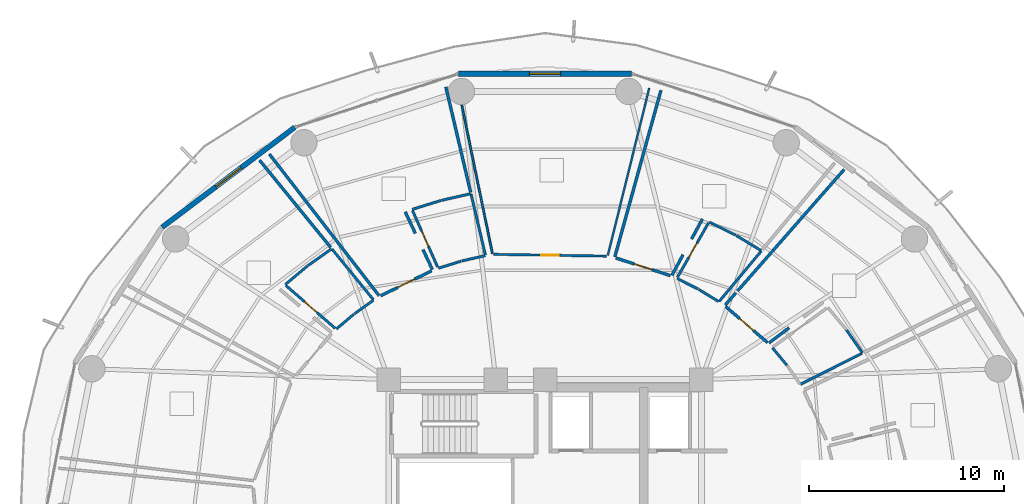
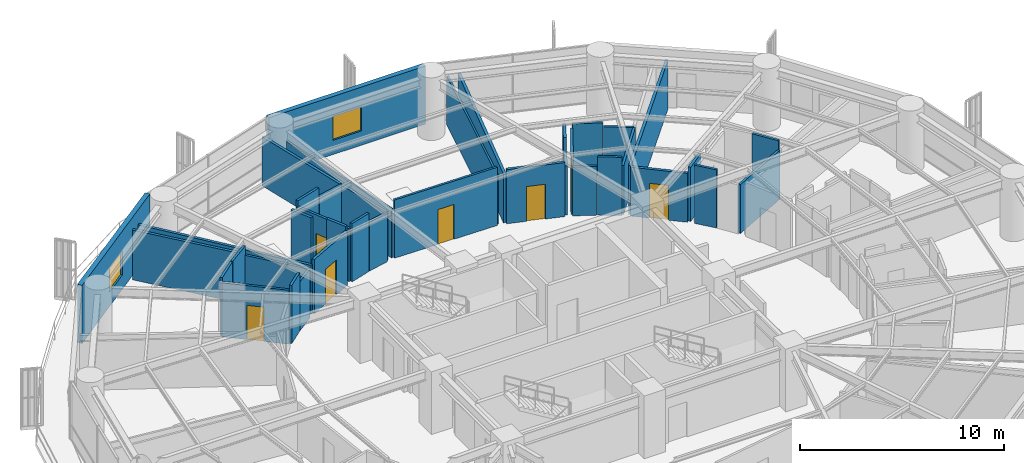
# One storey, part 32 of 38: 39 walls, 7 doors, 2 windows, 9 openings.
"""IFC4 building model written with IfcOpenShell, lengths in metres."""

from ifc_helpers import new_model, si_unit, direction, frame, frame_2d, origin, place, context, subcontext, project, spatial, rectangle, extrude, material, layer, layer_set, type_object, element, fill, save


model = new_model("IFC4")

# Units and contexts
model_context = context("Model", 3, precision=1e-05, world=origin(), true_north=direction((0.0, 1.0)))
body_context = subcontext(model_context, "Body", "Model", "MODEL_VIEW")
ifc_project = project(units=[si_unit("LENGTHUNIT", "METRE"), si_unit("AREAUNIT", "SQUARE_METRE"), si_unit("VOLUMEUNIT", "CUBIC_METRE"), si_unit("PLANEANGLEUNIT", "RADIAN"), si_unit("MASSUNIT", "GRAM", prefix="KILO")], contexts=[model_context])

# Site, building, storey
site_placement = place(None, origin())
site = spatial("IfcSite", under=ifc_project, at=site_placement, CompositionType="ELEMENT")
building_placement = place(site_placement, origin())
building = spatial("IfcBuilding", under=site, at=building_placement, Name="Kelanora Arch Commons", CompositionType="ELEMENT")
storey_placement = place(building_placement, frame((0.0, 0.0, 106.35009765625)))
storey = spatial("IfcBuildingStorey", under=building, at=storey_placement, Name="L27", CompositionType="ELEMENT", Elevation=106.35009765625)

# Wall, opening, door
ifc_material_1 = material(Name="Autoclaved aerated concrete blockwork with fire plaster", Category="masonry")
ifc_layer_1 = layer(ifc_material_1, 0.14990234375)
ifc_layer_set_1 = layer_set([ifc_layer_1], Name="Autoclaved aerated concrete blockwork with fire plaster")
wall_type_1 = type_object("IfcWallType", Name="W-COMP-150", PredefinedType="PARTITIONING", material=ifc_layer_set_1)
wall_1_placement = place(storey_placement, frame((85.384521484375, 66.89013671875, 0.0), z_axis=(0.0, 0.0, 1.0), x_axis=(-0.756913909666, 0.65351460072, 0.0)))
wall_1 = element("IfcWall", 1, at=wall_1_placement, inside=storey, type_object=wall_type_1, Name="Co-Living Studio L27-02 Entry Partition", PredefinedType="PARTITIONING", context=body_context, shape_type="SweptSolid", body=[
    extrude(rectangle(XDim=2.838134765625, YDim=0.14990234375, at=frame_2d((1.4189453125, 0.0))), origin(), (0.0, 0.0, 1.0), 2.9248046875),
])
opening_1_placement = place(wall_1_placement, frame((0.944091796875, 0.0, 0.0)))
opening_1 = element("IfcOpeningElement", 2, at=opening_1_placement, cuts=wall_1, Name="Opening D-CLU1", PredefinedType="OPENING", context=body_context, shape_type="SweptSolid", body=[
    extrude(rectangle(XDim=0.949951171875, YDim=2.080078125, at=frame_2d((0.47509765625, 1.0400390625))), frame((0.0, 0.0849609375, 0.0), z_axis=(0.0, -1.0, 0.0), x_axis=(1.0, 0.0, 0.0)), (0.0, 0.0, 1.0), 0.169921875),
])
ifc_material_2 = material(Name="Solid-core acoustic timber cluster entry fire door", Category="wood")
door_type_1 = type_object("IfcDoorType", Name="D-CLU-95", OperationType="NOTDEFINED", PredefinedType="DOOR", material=ifc_material_2)
door_1_placement = place(opening_1_placement, origin())
door_1 = element("IfcDoor", 3, at=door_1_placement, inside=storey, type_object=door_type_1, Name="Co-Living Studio L27-02 Door", OperationType="SINGLE_SWING_LEFT", OverallHeight=2.080078125, OverallWidth=0.949951171875, PredefinedType="DOOR", context=body_context, shape_type="SweptSolid", body=[
    extrude(rectangle(XDim=0.949951171875, YDim=2.080078125, at=frame_2d((0.47509765625, 1.0400390625))), frame((0.0, 0.02490234375, 0.0), z_axis=(0.0, -1.0, 0.0), x_axis=(1.0, 0.0, 0.0)), (0.0, 0.0, 1.0), 0.050048828125),
])
fill(opening_1, door_1)

wall_2_placement = place(storey_placement, frame((80.414794921875, 70.3203125, 0.0), z_axis=(0.0, 0.0, 1.0), x_axis=(-0.951622481895, 0.307269673009, 0.0)))
wall_2 = element("IfcWall", 4, at=wall_2_placement, inside=storey, type_object=wall_type_1, Name="Co-Living Studio L27-03 Entry Partition", PredefinedType="PARTITIONING", context=body_context, shape_type="SweptSolid", body=[
    extrude(rectangle(XDim=2.93994140625, YDim=0.14990234375, at=frame_2d((1.469970703125, 0.0))), origin(), (0.0, 0.0, 1.0), 3.23486328125),
])
opening_2_placement = place(wall_2_placement, frame((0.9951171875, 0.0, 0.0)))
opening_2 = element("IfcOpeningElement", 5, at=opening_2_placement, cuts=wall_2, Name="Opening D-CLU1", PredefinedType="OPENING", context=body_context, shape_type="SweptSolid", body=[
    extrude(rectangle(XDim=0.949951171875, YDim=2.080078125, at=frame_2d((0.47509765625, 1.0400390625))), frame((0.0, 0.0849609375, 0.0), z_axis=(0.0, -1.0, 0.0), x_axis=(1.0, 0.0, 0.0)), (0.0, 0.0, 1.0), 0.169921875),
])
door_2_placement = place(opening_2_placement, origin())
door_2 = element("IfcDoor", 6, at=door_2_placement, inside=storey, type_object=door_type_1, Name="Co-Living Studio L27-03 Door", OperationType="SINGLE_SWING_LEFT", OverallHeight=2.080078125, OverallWidth=0.949951171875, PredefinedType="DOOR", context=body_context, shape_type="SweptSolid", body=[
    extrude(rectangle(XDim=0.949951171875, YDim=2.080078125, at=frame_2d((0.47509765625, 1.0400390625))), frame((0.0, 0.02490234375, 0.0), z_axis=(0.0, -1.0, 0.0), x_axis=(1.0, 0.0, 0.0)), (0.0, 0.0, 1.0), 0.050048828125),
])
fill(opening_2, door_2)

wall_3_placement = place(storey_placement, frame((68.196044921875, 70.566650390625, 0.0), z_axis=(0.0, 0.0, 1.0), x_axis=(-0.89794088417, -0.440116085296, 0.0)))
wall_3 = element("IfcWall", 7, at=wall_3_placement, inside=storey, type_object=wall_type_1, Name="Co-Living Studio L27-05 Entry Partition", PredefinedType="PARTITIONING", context=body_context, shape_type="SweptSolid", body=[
    extrude(rectangle(XDim=2.908935546875, YDim=0.14990234375, at=frame_2d((1.45458984375, 0.0))), origin(), (0.0, 0.0, 1.0), 3.23486328125),
])
opening_3_placement = place(wall_3_placement, frame((0.97998046875, 0.0, 0.0)))
opening_3 = element("IfcOpeningElement", 8, at=opening_3_placement, cuts=wall_3, Name="Opening D-CLU1", PredefinedType="OPENING", context=body_context, shape_type="SweptSolid", body=[
    extrude(rectangle(XDim=0.949951171875, YDim=2.080078125, at=frame_2d((0.47509765625, 1.0400390625))), frame((0.0, 0.0849609375, 0.0), z_axis=(0.0, -1.0, 0.0), x_axis=(1.0, 0.0, 0.0)), (0.0, 0.0, 1.0), 0.169921875),
])
door_3_placement = place(opening_3_placement, origin())
door_3 = element("IfcDoor", 9, at=door_3_placement, inside=storey, type_object=door_type_1, Name="Co-Living Studio L27-05 Door", OperationType="SINGLE_SWING_RIGHT", OverallHeight=2.080078125, OverallWidth=0.949951171875, PredefinedType="DOOR", context=body_context, shape_type="SweptSolid", body=[
    extrude(rectangle(XDim=0.949951171875, YDim=2.080078125, at=frame_2d((0.47509765625, 1.0400390625))), frame((0.0, 0.02490234375, 0.0), z_axis=(0.0, -1.0, 0.0), x_axis=(1.0, 0.0, 0.0)), (0.0, 0.0, 1.0), 0.050048828125),
])
fill(opening_3, door_3)

# Walls
wall_4_placement = place(storey_placement, frame((83.21728515625, 68.814208984375, 0.0), z_axis=(0.0, 0.0, 1.0), x_axis=(0.659635901966, 0.751585309088, 0.0)))
element("IfcWall", 10, at=wall_4_placement, inside=storey, type_object=wall_type_1, Name="Co-Living Studio L27-02 Enclosure Partition 2", PredefinedType="PARTITIONING", context=body_context, shape_type="SweptSolid", body=[
    extrude(rectangle(XDim=9.2373046875, YDim=0.14990234375, at=frame_2d((4.61865234375, 0.0))), origin(), (0.0, 0.0, 1.0), 2.9248046875),
])
wall_5_placement = place(storey_placement, frame((86.4912109375, 67.649169921875, 0.0), z_axis=(0.0, 0.0, 1.0), x_axis=(-0.799180360415, -0.601091300492, 0.0)))
element("IfcWall", 11, at=wall_5_placement, inside=storey, type_object=wall_type_1, Name="Co-Living Studio L27-02 Enclosure Partition 7", PredefinedType="PARTITIONING", context=body_context, shape_type="SweptSolid", body=[
    extrude(rectangle(XDim=1.287841796875, YDim=0.14990234375, at=frame_2d((0.64404296875, 0.0))), origin(), (0.0, 0.0, 1.0), 3.23486328125),
])
wall_6_placement = place(storey_placement, frame((77.57080078125, 71.280517578125, 0.0), z_axis=(0.0, 0.0, 1.0), x_axis=(0.266746506471, 0.963766725554, 0.0)))
element("IfcWall", 12, at=wall_6_placement, inside=storey, type_object=wall_type_1, Name="Co-Living Studio L27-03 Enclosure Partition 2", PredefinedType="PARTITIONING", context=body_context, shape_type="SweptSolid", body=[
    extrude(rectangle(XDim=8.84130859375, YDim=0.14990234375, at=frame_2d((4.420654296875, 0.0))), origin(), (0.0, 0.0, 1.0), 2.9248046875),
])
wall_7_placement = place(storey_placement, frame((82.053955078125, 73.2216796875, 0.0), z_axis=(0.0, 0.0, 1.0), x_axis=(-0.476431432847, -0.879211629698, 0.0)))
element("IfcWall", 13, at=wall_7_placement, inside=storey, type_object=wall_type_1, Name="Co-Living Studio L27-03 Enclosure Partition 7", PredefinedType="PARTITIONING", context=body_context, shape_type="SweptSolid", body=[
    extrude(rectangle(XDim=1.166748046875, YDim=0.14990234375, at=frame_2d((0.58349609375, 0.0))), origin(), (0.0, 0.0, 1.0), 3.1748046875),
])
wall_8_placement = place(storey_placement, frame((81.0595703125, 71.38671875, 0.0), z_axis=(0.0, 0.0, 1.0), x_axis=(-0.476184304259, -0.879345500004, 0.0)))
element("IfcWall", 14, at=wall_8_placement, inside=storey, type_object=wall_type_1, Name="Co-Living Studio L27-03 Enclosure Partition 7", PredefinedType="PARTITIONING", context=body_context, shape_type="SweptSolid", body=[
    extrude(rectangle(XDim=1.193603515625, YDim=0.14990234375, at=frame_2d((0.5966796875, 0.0))), origin(), (0.0, 0.0, 1.0), 2.9248046875),
])
wall_9_placement = place(storey_placement, frame((65.505615234375, 69.29150390625, 0.0), z_axis=(0.0, 0.0, 1.0), x_axis=(-0.612364923916, 0.790575233585, 0.0)))
element("IfcWall", 15, at=wall_9_placement, inside=storey, type_object=wall_type_1, Name="Co-Living Studio L27-05 Enclosure Partition 2", PredefinedType="PARTITIONING", context=body_context, shape_type="SweptSolid", body=[
    extrude(rectangle(XDim=9.167724609375, YDim=0.14990234375, at=frame_2d((4.583984375, 0.0))), origin(), (0.0, 0.0, 1.0), 2.9248046875),
])
wall_10_placement = place(storey_placement, frame((68.923095703125, 79.97412109375, 0.0), z_axis=(0.0, 0.0, 1.0), x_axis=(0.228901508724, -0.973449587449, 0.0)))
element("IfcWall", 16, at=wall_10_placement, inside=storey, type_object=wall_type_1, Name="Co-Living Studio L27-05 Enclosure Partition 5", PredefinedType="PARTITIONING", context=body_context, shape_type="SweptSolid", body=[
    extrude(rectangle(XDim=5.529052734375, YDim=0.14990234375, at=frame_2d((2.7646484375, 0.0))), origin(), (0.0, 0.0, 1.0), 2.9248046875),
])
wall_11_placement = place(storey_placement, frame((66.843994140625, 73.581787109375, 0.0), z_axis=(0.0, 0.0, 1.0), x_axis=(0.42562282943, -0.904900661436, 0.0)))
element("IfcWall", 17, at=wall_11_placement, inside=storey, type_object=wall_type_1, Name="Co-Living Studio L27-05 Enclosure Partition 7", PredefinedType="PARTITIONING", context=body_context, shape_type="SweptSolid", body=[
    extrude(rectangle(XDim=1.21484375, YDim=0.14990234375, at=frame_2d((0.607421875, 0.0))), origin(), (0.0, 0.0, 1.0), 3.1748046875),
])
wall_12_placement = place(storey_placement, frame((67.7529296875, 71.649658203125, 0.0), z_axis=(0.0, 0.0, 1.0), x_axis=(0.425609366017, -0.904906993872, 0.0)))
element("IfcWall", 18, at=wall_12_placement, inside=storey, type_object=wall_type_1, Name="Co-Living Studio L27-05 Enclosure Partition 7", PredefinedType="PARTITIONING", context=body_context, shape_type="SweptSolid", body=[
    extrude(rectangle(XDim=1.127685546875, YDim=0.14990234375, at=frame_2d((0.56396484375, 0.0))), origin(), (0.0, 0.0, 1.0), 3.47998046875),
])
wall_13_placement = place(storey_placement, frame((59.390380859375, 76.22509765625, 0.0), z_axis=(0.0, 0.0, 1.0), x_axis=(0.632139440809, -0.774854649192, 0.0)))
element("IfcWall", 19, at=wall_13_placement, inside=storey, type_object=wall_type_1, Name="Co-Living Studio L27-06 Enclosure Partition 5", PredefinedType="PARTITIONING", context=body_context, shape_type="SweptSolid", body=[
    extrude(rectangle(XDim=5.764892578125, YDim=0.14990234375, at=frame_2d((2.88232421875, 0.0))), origin(), (0.0, 0.0, 1.0), 2.974853515625),
])

# Wall, opening, window
ifc_material_3 = material(Name="Precast concrete C40/50 with terracotta rainscreen", Category="masonry")
ifc_layer_2 = layer(ifc_material_3, 0.260009765625)
ifc_layer_set_2 = layer_set([ifc_layer_2], Name="Precast concrete C40/50 with terracotta rainscreen")
wall_type_2 = type_object("IfcWallType", Name="W-EXT-TC", PredefinedType="SOLIDWALL", material=ifc_layer_set_2)
wall_14_placement = place(storey_placement, frame((78.430419921875, 80.650634765625, 0.0), z_axis=(0.0, 0.0, 1.0), x_axis=(-1.0, 0.0, 0.0)))
wall_14 = element("IfcWall", 20, at=wall_14_placement, inside=storey, type_object=wall_type_2, Name="Terracotta Exterior Wall L27-B04", PredefinedType="SOLIDWALL", context=body_context, shape_type="SweptSolid", body=[
    extrude(rectangle(XDim=8.86083984375, YDim=0.260009765625, at=frame_2d((4.430419921875, 0.0))), origin(), (0.0, 0.0, 1.0), 3.474853515625),
])
opening_4_placement = place(wall_14_placement, frame((3.6298828125, 0.0, 0.85009765625)))
opening_4 = element("IfcOpeningElement", 21, at=opening_4_placement, cuts=wall_14, Name="Opening WN-01", PredefinedType="OPENING", context=body_context, shape_type="SweptSolid", body=[
    extrude(rectangle(XDim=1.60009765625, YDim=1.449951171875, at=frame_2d((0.800048828125, 0.72509765625))), frame((0.0, 0.14013671875, 0.0), z_axis=(0.0, -1.0, 0.0), x_axis=(1.0, 0.0, 0.0)), (0.0, 0.0, 1.0), 0.280029296875),
])
ifc_material_4 = material(Name="Terracotta-anodised aluminium frame with operable low-E glazing", Category="masonry")
window_type = type_object("IfcWindowType", Name="WIN-CL-18", PartitioningType="DOUBLE_PANEL_VERTICAL", PredefinedType="WINDOW", material=ifc_material_4)
window_1_placement = place(opening_4_placement, origin())
window_1 = element("IfcWindow", 22, at=window_1_placement, inside=storey, type_object=window_type, Name="Co-Living Operable Window L27-B04", OverallHeight=1.449951171875, OverallWidth=1.60009765625, PartitioningType="SINGLE_PANEL", PredefinedType="WINDOW", context=body_context, shape_type="SweptSolid", body=[
    extrude(rectangle(XDim=1.60009765625, YDim=1.449951171875, at=frame_2d((0.800048828125, 0.72509765625))), frame((0.0, 0.030029296875, 0.0), z_axis=(0.0, -1.0, 0.0), x_axis=(1.0, 0.0, 0.0)), (0.0, 0.0, 1.0), 0.06005859375),
])
fill(opening_4, window_1)

wall_15_placement = place(storey_placement, frame((61.18798828125, 77.90966796875, 0.0), z_axis=(0.0, 0.0, 1.0), x_axis=(-0.798501507879, -0.601992808857, 0.0)))
wall_15 = element("IfcWall", 23, at=wall_15_placement, inside=storey, type_object=wall_type_2, Name="Terracotta Exterior Wall L27-B06", PredefinedType="SOLIDWALL", context=body_context, shape_type="SweptSolid", body=[
    extrude(rectangle(XDim=8.499267578125, YDim=0.260009765625, at=frame_2d((4.24951171875, 0.0))), origin(), (0.0, 0.0, 1.0), 3.474853515625),
])
opening_5_placement = place(wall_15_placement, frame((3.449951171875, 0.0, 0.85009765625)))
opening_5 = element("IfcOpeningElement", 24, at=opening_5_placement, cuts=wall_15, Name="Opening WN-01", PredefinedType="OPENING", context=body_context, shape_type="SweptSolid", body=[
    extrude(rectangle(XDim=1.60009765625, YDim=1.449951171875, at=frame_2d((0.800048828125, 0.72509765625))), frame((0.0, 0.14013671875, 0.0), z_axis=(0.0, -1.0, 0.0), x_axis=(1.0, 0.0, 0.0)), (0.0, 0.0, 1.0), 0.280029296875),
])
window_2_placement = place(opening_5_placement, origin())
window_2 = element("IfcWindow", 25, at=window_2_placement, inside=storey, type_object=window_type, Name="Co-Living Operable Window L27-B06", OverallHeight=1.449951171875, OverallWidth=1.60009765625, PartitioningType="SINGLE_PANEL", PredefinedType="WINDOW", context=body_context, shape_type="SweptSolid", body=[
    extrude(rectangle(XDim=1.60009765625, YDim=1.449951171875, at=frame_2d((0.800048828125, 0.72509765625))), frame((0.0, 0.030029296875, 0.0), z_axis=(0.0, -1.0, 0.0), x_axis=(1.0, 0.0, 0.0)), (0.0, 0.0, 1.0), 0.06005859375),
])
fill(opening_5, window_2)

# Walls
ifc_material_5 = material(Name="Lightweight fire-rated acoustic stud partition")
ifc_layer_3 = layer(ifc_material_5, 0.10009765625)
ifc_layer_set_3 = layer_set([ifc_layer_3], Name="Lightweight fire-rated acoustic stud partition")
wall_type_3 = type_object("IfcWallType", Name="W-PART-100", PredefinedType="PARTITIONING", material=ifc_layer_set_3)
wall_16_placement = place(storey_placement, frame((71.304931640625, 71.44921875, 0.0), z_axis=(0.0, 0.0, 1.0), x_axis=(-0.202123638545, 0.979360012836, 0.0)))
element("IfcWall", 26, at=wall_16_placement, inside=storey, type_object=wall_type_3, Name="Communal Dining and Social Hall L27-04 Enclosure Partition 2", PredefinedType="PARTITIONING", context=body_context, shape_type="SweptSolid", body=[
    extrude(rectangle(XDim=7.755859375, YDim=0.10009765625, at=frame_2d((3.8779296875, 0.0))), origin(), (0.0, 0.0, 1.0), 2.9248046875),
])
wall_17_placement = place(storey_placement, frame((79.33349609375, 79.92529296875, 0.0), z_axis=(0.0, 0.0, 1.0), x_axis=(-0.240342194274, -0.970688224741, 0.0)))
element("IfcWall", 27, at=wall_17_placement, inside=storey, type_object=wall_type_3, Name="Communal Dining and Social Hall L27-04 Enclosure Partition 4", PredefinedType="PARTITIONING", context=body_context, shape_type="SweptSolid", body=[
    extrude(rectangle(XDim=8.828369140625, YDim=0.10009765625, at=frame_2d((4.4140625, 0.0))), origin(), (0.0, 0.0, 1.0), 2.9248046875),
])

# Wall, opening, door
ifc_material_6 = material(Name="Acoustic twin-stud fire-rated gypsum partition")
ifc_layer_4 = layer(ifc_material_6, 0.1201171875)
ifc_layer_set_4 = layer_set([ifc_layer_4], Name="Acoustic twin-stud fire-rated gypsum partition")
wall_type_4 = type_object("IfcWallType", Name="W-PART-120", PredefinedType="PARTITIONING", material=ifc_layer_set_4)
wall_18_placement = place(storey_placement, frame((77.14208984375, 71.31787109375, 0.0), z_axis=(0.0, 0.0, 1.0), x_axis=(-0.999874771211, 0.015825356091, 0.0)))
wall_18 = element("IfcWall", 28, at=wall_18_placement, inside=storey, type_object=wall_type_4, Name="Communal Dining and Social Hall L27-04 Entry Partition", PredefinedType="PARTITIONING", context=body_context, shape_type="SweptSolid", body=[
    extrude(rectangle(XDim=5.769775390625, YDim=0.1201171875, at=frame_2d((2.884765625, 0.0))), origin(), (0.0, 0.0, 1.0), 3.47998046875),
])
opening_6_placement = place(wall_18_placement, frame((2.43505859375, 0.0, 0.0)))
opening_6 = element("IfcOpeningElement", 29, at=opening_6_placement, cuts=wall_18, Name="Opening D-RM1", PredefinedType="OPENING", context=body_context, shape_type="SweptSolid", body=[
    extrude(rectangle(XDim=0.89990234375, YDim=2.080078125, at=frame_2d((0.449951171875, 1.0400390625))), frame((0.0, 0.070068359375, 0.0), z_axis=(0.0, -1.0, 0.0), x_axis=(1.0, 0.0, 0.0)), (0.0, 0.0, 1.0), 0.14013671875),
])
ifc_material_7 = material(Name="Acoustic fire-rated timber study and lounge door", Category="wood")
door_type_2 = type_object("IfcDoorType", Name="D-ROOM-90", OperationType="NOTDEFINED", PredefinedType="DOOR", material=ifc_material_7)
door_4_placement = place(opening_6_placement, origin())
door_4 = element("IfcDoor", 30, at=door_4_placement, inside=storey, type_object=door_type_2, Name="Communal Dining and Social Hall L27-04 Door", OperationType="SINGLE_SWING_RIGHT", OverallHeight=2.080078125, OverallWidth=0.89990234375, PredefinedType="DOOR", context=body_context, shape_type="SweptSolid", body=[
    extrude(rectangle(XDim=0.89990234375, YDim=2.080078125, at=frame_2d((0.449951171875, 1.0400390625))), frame((0.0, 0.02490234375, 0.0), z_axis=(0.0, -1.0, 0.0), x_axis=(1.0, 0.0, 0.0)), (0.0, 0.0, 1.0), 0.050048828125),
])
fill(opening_6, door_4)

ifc_material_8 = material(Name="Moisture-resistant fire-rated cement-board plumbing wall")
ifc_layer_5 = layer(ifc_material_8, 0.1298828125)
ifc_layer_set_5 = layer_set([ifc_layer_5], Name="Moisture-resistant fire-rated cement-board plumbing wall")
wall_type_5 = type_object("IfcWallType", Name="W-WET-120", PredefinedType="PLUMBINGWALL", material=ifc_layer_set_5)
wall_19_placement = place(storey_placement, frame((80.772705078125, 70.233154296875, 0.0), z_axis=(0.0, 0.0, 1.0), x_axis=(0.49568821927, 0.868500540747, 0.0)))
wall_19 = element("IfcWall", 31, at=wall_19_placement, inside=storey, type_object=wall_type_5, Name="En-Suite Shower WC L27-03 Entry Partition", PredefinedType="PLUMBINGWALL", context=body_context, shape_type="SweptSolid", body=[
    extrude(rectangle(XDim=3.208740234375, YDim=0.1298828125, at=frame_2d((1.6044921875, 0.0))), origin(), (0.0, 0.0, 1.0), 2.9248046875),
])
opening_7_placement = place(wall_19_placement, frame((1.174072265625, 0.0, 0.0)))
opening_7 = element("IfcOpeningElement", 32, at=opening_7_placement, cuts=wall_19, Name="Opening D-BT1", PredefinedType="OPENING", context=body_context, shape_type="SweptSolid", body=[
    extrude(rectangle(XDim=0.860107421875, YDim=2.050048828125, at=frame_2d((0.43017578125, 1.02490234375))), frame((0.0, 0.074951171875, 0.0), z_axis=(0.0, -1.0, 0.0), x_axis=(1.0, 0.0, 0.0)), (0.0, 0.0, 1.0), 0.14990234375),
])
ifc_material_9 = material(Name="Moisture-sealed fire-rated accessible bathroom door")
door_type_3 = type_object("IfcDoorType", Name="D-BATH-85", OperationType="NOTDEFINED", PredefinedType="DOOR", material=ifc_material_9)
door_5_placement = place(opening_7_placement, origin())
door_5 = element("IfcDoor", 33, at=door_5_placement, inside=storey, type_object=door_type_3, Name="En-Suite Shower WC L27-03 Door", OperationType="SINGLE_SWING_RIGHT", OverallHeight=2.050048828125, OverallWidth=0.860107421875, PredefinedType="DOOR", context=body_context, shape_type="SweptSolid", body=[
    extrude(rectangle(XDim=0.860107421875, YDim=2.050048828125, at=frame_2d((0.43017578125, 1.02490234375))), frame((0.0, 0.02490234375, 0.0), z_axis=(0.0, -1.0, 0.0), x_axis=(1.0, 0.0, 0.0)), (0.0, 0.0, 1.0), 0.050048828125),
])
fill(opening_7, door_5)

wall_20_placement = place(storey_placement, frame((68.505615234375, 70.749755859375, 0.0), z_axis=(0.0, 0.0, 1.0), x_axis=(-0.406231177337, 0.913770337973, 0.0)))
wall_20 = element("IfcWall", 34, at=wall_20_placement, inside=storey, type_object=wall_type_5, Name="En-Suite Shower WC L27-05 Entry Partition", PredefinedType="PLUMBINGWALL", context=body_context, shape_type="SweptSolid", body=[
    extrude(rectangle(XDim=3.17626953125, YDim=0.1298828125, at=frame_2d((1.588134765625, 0.0))), origin(), (0.0, 0.0, 1.0), 3.1748046875),
])
opening_8_placement = place(wall_20_placement, frame((1.157958984375, 0.0, 0.0)))
opening_8 = element("IfcOpeningElement", 35, at=opening_8_placement, cuts=wall_20, Name="Opening D-BT1", PredefinedType="OPENING", context=body_context, shape_type="SweptSolid", body=[
    extrude(rectangle(XDim=0.860107421875, YDim=2.050048828125, at=frame_2d((0.43017578125, 1.02490234375))), frame((0.0, 0.074951171875, 0.0), z_axis=(0.0, -1.0, 0.0), x_axis=(1.0, 0.0, 0.0)), (0.0, 0.0, 1.0), 0.14990234375),
])
door_6_placement = place(opening_8_placement, origin())
door_6 = element("IfcDoor", 36, at=door_6_placement, inside=storey, type_object=door_type_3, Name="En-Suite Shower WC L27-05 Door", OperationType="SINGLE_SWING_LEFT", OverallHeight=2.050048828125, OverallWidth=0.860107421875, PredefinedType="DOOR", context=body_context, shape_type="SweptSolid", body=[
    extrude(rectangle(XDim=0.860107421875, YDim=2.050048828125, at=frame_2d((0.43017578125, 1.02490234375))), frame((0.0, 0.02490234375, 0.0), z_axis=(0.0, -1.0, 0.0), x_axis=(1.0, 0.0, 0.0)), (0.0, 0.0, 1.0), 0.050048828125),
])
fill(opening_8, door_6)

wall_21_placement = place(storey_placement, frame((63.263671875, 67.619384765625, 0.0), z_axis=(0.0, 0.0, 1.0), x_axis=(-0.75497608509, 0.65575232439, 0.0)))
wall_21 = element("IfcWall", 37, at=wall_21_placement, inside=storey, type_object=wall_type_5, Name="En-Suite Shower WC L27-06 Entry Partition", PredefinedType="PLUMBINGWALL", context=body_context, shape_type="SweptSolid", body=[
    extrude(rectangle(XDim=3.34619140625, YDim=0.1298828125, at=frame_2d((1.673095703125, 0.0))), origin(), (0.0, 0.0, 1.0), 3.23486328125),
])
opening_9_placement = place(wall_21_placement, frame((1.242919921875, 0.0, 0.0)))
opening_9 = element("IfcOpeningElement", 38, at=opening_9_placement, cuts=wall_21, Name="Opening D-BT1", PredefinedType="OPENING", context=body_context, shape_type="SweptSolid", body=[
    extrude(rectangle(XDim=0.860107421875, YDim=2.050048828125, at=frame_2d((0.43017578125, 1.02490234375))), frame((0.0, 0.074951171875, 0.0), z_axis=(0.0, -1.0, 0.0), x_axis=(1.0, 0.0, 0.0)), (0.0, 0.0, 1.0), 0.14990234375),
])
door_7_placement = place(opening_9_placement, origin())
door_7 = element("IfcDoor", 39, at=door_7_placement, inside=storey, type_object=door_type_3, Name="En-Suite Shower WC L27-06 Door", OperationType="SINGLE_SWING_LEFT", OverallHeight=2.050048828125, OverallWidth=0.860107421875, PredefinedType="DOOR", context=body_context, shape_type="SweptSolid", body=[
    extrude(rectangle(XDim=0.860107421875, YDim=2.050048828125, at=frame_2d((0.43017578125, 1.02490234375))), frame((0.0, 0.02490234375, 0.0), z_axis=(0.0, -1.0, 0.0), x_axis=(1.0, 0.0, 0.0)), (0.0, 0.0, 1.0), 0.050048828125),
])
fill(opening_9, door_7)

# Walls
wall_22_placement = place(storey_placement, frame((86.3701171875, 65.739501953125, 0.0), z_axis=(0.0, 0.0, 1.0), x_axis=(-0.63765459476, 0.770322411579, 0.0)))
element("IfcWall", 40, at=wall_22_placement, inside=storey, type_object=wall_type_5, Name="En-Suite Shower WC L27-02 Enclosure Partition 2", PredefinedType="PLUMBINGWALL", context=body_context, shape_type="SweptSolid", body=[
    extrude(rectangle(XDim=1.150146484375, YDim=0.1298828125, at=frame_2d((0.5751953125, 0.0))), origin(), (0.0, 0.0, 1.0), 3.47998046875),
])
wall_23_placement = place(storey_placement, frame((89.42529296875, 67.54052734375, 0.0), z_axis=(0.0, 0.0, 1.0), x_axis=(0.571009238548, -0.820943633566, 0.0)))
element("IfcWall", 41, at=wall_23_placement, inside=storey, type_object=wall_type_5, Name="En-Suite Shower WC L27-02 Enclosure Partition 5", PredefinedType="PLUMBINGWALL", context=body_context, shape_type="SweptSolid", body=[
    extrude(rectangle(XDim=1.42431640625, YDim=0.1298828125, at=frame_2d((0.712158203125, 0.0))), origin(), (0.0, 0.0, 1.0), 3.47998046875),
])
wall_24_placement = place(storey_placement, frame((90.232177734375, 66.345947265625, 0.0), z_axis=(0.0, 0.0, 1.0), x_axis=(-0.893873710096, -0.448318849034, 0.0)))
element("IfcWall", 42, at=wall_24_placement, inside=storey, type_object=wall_type_5, Name="En-Suite Shower WC L27-02 Enclosure Partition 6", PredefinedType="PLUMBINGWALL", context=body_context, shape_type="SweptSolid", body=[
    extrude(rectangle(XDim=3.533203125, YDim=0.1298828125, at=frame_2d((1.7666015625, 0.0))), origin(), (0.0, 0.0, 1.0), 2.9248046875),
])
wall_25_placement = place(storey_placement, frame((82.880859375, 68.995361328125, 0.0), z_axis=(0.0, 0.0, 1.0), x_axis=(-0.854269908405, 0.51982970634, 0.0)))
element("IfcWall", 43, at=wall_25_placement, inside=storey, type_object=wall_type_5, Name="En-Suite Shower WC L27-03 Enclosure Partition 1", PredefinedType="PLUMBINGWALL", context=body_context, shape_type="SweptSolid", body=[
    extrude(rectangle(XDim=1.189208984375, YDim=0.1298828125, at=frame_2d((0.5947265625, 0.0))), origin(), (0.0, 0.0, 1.0), 3.47998046875),
])
wall_26_placement = place(storey_placement, frame((81.830078125, 69.633056640625, 0.0), z_axis=(0.0, 0.0, 1.0), x_axis=(-0.89291318054, 0.450228888475, 0.0)))
element("IfcWall", 44, at=wall_26_placement, inside=storey, type_object=wall_type_5, Name="En-Suite Shower WC L27-03 Enclosure Partition 2", PredefinedType="PLUMBINGWALL", context=body_context, shape_type="SweptSolid", body=[
    extrude(rectangle(XDim=1.197265625, YDim=0.1298828125, at=frame_2d((0.5986328125, 0.0))), origin(), (0.0, 0.0, 1.0), 2.9248046875),
])
wall_27_placement = place(storey_placement, frame((82.410888671875, 73.06298828125, 0.0), z_axis=(0.0, 0.0, 1.0), x_axis=(0.893970784776, -0.448125245848, 0.0)))
element("IfcWall", 45, at=wall_27_placement, inside=storey, type_object=wall_type_5, Name="En-Suite Shower WC L27-03 Enclosure Partition 4", PredefinedType="PLUMBINGWALL", context=body_context, shape_type="SweptSolid", body=[
    extrude(rectangle(XDim=1.499267578125, YDim=0.1298828125, at=frame_2d((0.74951171875, 0.0))), origin(), (0.0, 0.0, 1.0), 3.1748046875),
])
wall_28_placement = place(storey_placement, frame((83.7861328125, 72.37158203125, 0.0), z_axis=(0.0, 0.0, 1.0), x_axis=(0.855341160713, -0.518065149175, 0.0)))
element("IfcWall", 46, at=wall_28_placement, inside=storey, type_object=wall_type_5, Name="En-Suite Shower WC L27-03 Enclosure Partition 5", PredefinedType="PLUMBINGWALL", context=body_context, shape_type="SweptSolid", body=[
    extrude(rectangle(XDim=1.48681640625, YDim=0.1298828125, at=frame_2d((0.743408203125, 0.0))), origin(), (0.0, 0.0, 1.0), 2.9248046875),
])
wall_29_placement = place(storey_placement, frame((85.062255859375, 71.57568359375, 0.0), z_axis=(0.0, 0.0, 1.0), x_axis=(-0.641092758396, -0.767463403123, 0.0)))
element("IfcWall", 47, at=wall_29_placement, inside=storey, type_object=wall_type_5, Name="En-Suite Shower WC L27-03 Enclosure Partition 6", PredefinedType="PLUMBINGWALL", context=body_context, shape_type="SweptSolid", body=[
    extrude(rectangle(XDim=3.355712890625, YDim=0.1298828125, at=frame_2d((1.677734375, 0.0))), origin(), (0.0, 0.0, 1.0), 2.9248046875),
])
wall_30_placement = place(storey_placement, frame((70.9326171875, 71.342529296875, 0.0), z_axis=(0.0, 0.0, 1.0), x_axis=(-0.974915720647, -0.222574341818, 0.0)))
element("IfcWall", 48, at=wall_30_placement, inside=storey, type_object=wall_type_5, Name="En-Suite Shower WC L27-05 Enclosure Partition 1", PredefinedType="PLUMBINGWALL", context=body_context, shape_type="SweptSolid", body=[
    extrude(rectangle(XDim=1.217529296875, YDim=0.1298828125, at=frame_2d((0.60888671875, 0.0))), origin(), (0.0, 0.0, 1.0), 2.9248046875),
])
wall_31_placement = place(storey_placement, frame((69.706787109375, 71.06103515625, 0.0), z_axis=(0.0, 0.0, 1.0), x_axis=(-0.954873275734, -0.297013513646, 0.0)))
element("IfcWall", 49, at=wall_31_placement, inside=storey, type_object=wall_type_5, Name="En-Suite Shower WC L27-05 Enclosure Partition 2", PredefinedType="PLUMBINGWALL", context=body_context, shape_type="SweptSolid", body=[
    extrude(rectangle(XDim=1.21240234375, YDim=0.1298828125, at=frame_2d((0.606201171875, 0.0))), origin(), (0.0, 0.0, 1.0), 3.47998046875),
])
wall_32_placement = place(storey_placement, frame((67.210205078125, 73.712890625, 0.0), z_axis=(0.0, 0.0, 1.0), x_axis=(0.955249123401, 0.295802488566, 0.0)))
element("IfcWall", 50, at=wall_32_placement, inside=storey, type_object=wall_type_5, Name="En-Suite Shower WC L27-05 Enclosure Partition 4", PredefinedType="PLUMBINGWALL", context=body_context, shape_type="SweptSolid", body=[
    extrude(rectangle(XDim=1.5185546875, YDim=0.1298828125, at=frame_2d((0.75927734375, 0.0))), origin(), (0.0, 0.0, 1.0), 3.47998046875),
])
wall_33_placement = place(storey_placement, frame((68.699462890625, 74.17236328125, 0.0), z_axis=(0.0, 0.0, 1.0), x_axis=(0.975247540647, 0.221115884688, 0.0)))
element("IfcWall", 51, at=wall_33_placement, inside=storey, type_object=wall_type_5, Name="En-Suite Shower WC L27-05 Enclosure Partition 5", PredefinedType="PLUMBINGWALL", context=body_context, shape_type="SweptSolid", body=[
    extrude(rectangle(XDim=1.52490234375, YDim=0.1298828125, at=frame_2d((0.762451171875, 0.0))), origin(), (0.0, 0.0, 1.0), 2.9248046875),
])
wall_34_placement = place(storey_placement, frame((70.210693359375, 74.494384765625, 0.0), z_axis=(0.0, 0.0, 1.0), x_axis=(0.229284929256, -0.973359348451, 0.0)))
element("IfcWall", 52, at=wall_34_placement, inside=storey, type_object=wall_type_5, Name="En-Suite Shower WC L27-05 Enclosure Partition 6", PredefinedType="PLUMBINGWALL", context=body_context, shape_type="SweptSolid", body=[
    extrude(rectangle(XDim=3.213623046875, YDim=0.1298828125, at=frame_2d((1.60693359375, 0.0))), origin(), (0.0, 0.0, 1.0), 2.9248046875),
])
wall_35_placement = place(storey_placement, frame((65.212646484375, 69.057373046875, 0.0), z_axis=(0.0, 0.0, 1.0), x_axis=(-0.814779575245, -0.579770854531, 0.0)))
element("IfcWall", 53, at=wall_35_placement, inside=storey, type_object=wall_type_5, Name="En-Suite Shower WC L27-06 Enclosure Partition 1", PredefinedType="PLUMBINGWALL", context=body_context, shape_type="SweptSolid", body=[
    extrude(rectangle(XDim=1.18115234375, YDim=0.1298828125, at=frame_2d((0.590576171875, 0.0))), origin(), (0.0, 0.0, 1.0), 2.9248046875),
])
wall_36_placement = place(storey_placement, frame((64.21875, 68.34814453125, 0.0), z_axis=(0.0, 0.0, 1.0), x_axis=(-0.764137277769, -0.645053657244, 0.0)))
element("IfcWall", 54, at=wall_36_placement, inside=storey, type_object=wall_type_5, Name="En-Suite Shower WC L27-06 Enclosure Partition 2", PredefinedType="PLUMBINGWALL", context=body_context, shape_type="SweptSolid", body=[
    extrude(rectangle(XDim=1.170654296875, YDim=0.1298828125, at=frame_2d((0.58544921875, 0.0))), origin(), (0.0, 0.0, 1.0), 3.47998046875),
])
wall_37_placement = place(storey_placement, frame((60.707275390625, 69.86572265625, 0.0), z_axis=(0.0, 0.0, 1.0), x_axis=(0.766482767596, 0.642264872913, 0.0)))
element("IfcWall", 55, at=wall_37_placement, inside=storey, type_object=wall_type_5, Name="En-Suite Shower WC L27-06 Enclosure Partition 4", PredefinedType="PLUMBINGWALL", context=body_context, shape_type="SweptSolid", body=[
    extrude(rectangle(XDim=1.46435546875, YDim=0.1298828125, at=frame_2d((0.732177734375, 0.0))), origin(), (0.0, 0.0, 1.0), 3.47998046875),
])
wall_38_placement = place(storey_placement, frame((61.861328125, 70.83056640625, 0.0), z_axis=(0.0, 0.0, 1.0), x_axis=(0.816339578676, 0.577572239886, 0.0)))
element("IfcWall", 56, at=wall_38_placement, inside=storey, type_object=wall_type_5, Name="En-Suite Shower WC L27-06 Enclosure Partition 5", PredefinedType="PLUMBINGWALL", context=body_context, shape_type="SweptSolid", body=[
    extrude(rectangle(XDim=1.4765625, YDim=0.1298828125, at=frame_2d((0.73828125, 0.0))), origin(), (0.0, 0.0, 1.0), 3.47998046875),
])
wall_39_placement = place(storey_placement, frame((63.095703125, 71.679443359375, 0.0), z_axis=(0.0, 0.0, 1.0), x_axis=(0.632781461548, -0.774330434583, 0.0)))
element("IfcWall", 57, at=wall_39_placement, inside=storey, type_object=wall_type_5, Name="En-Suite Shower WC L27-06 Enclosure Partition 6", PredefinedType="PLUMBINGWALL", context=body_context, shape_type="SweptSolid", body=[
    extrude(rectangle(XDim=3.351318359375, YDim=0.1298828125, at=frame_2d((1.67578125, 0.0))), origin(), (0.0, 0.0, 1.0), 2.9248046875),
])

save(model, "model.ifc")
